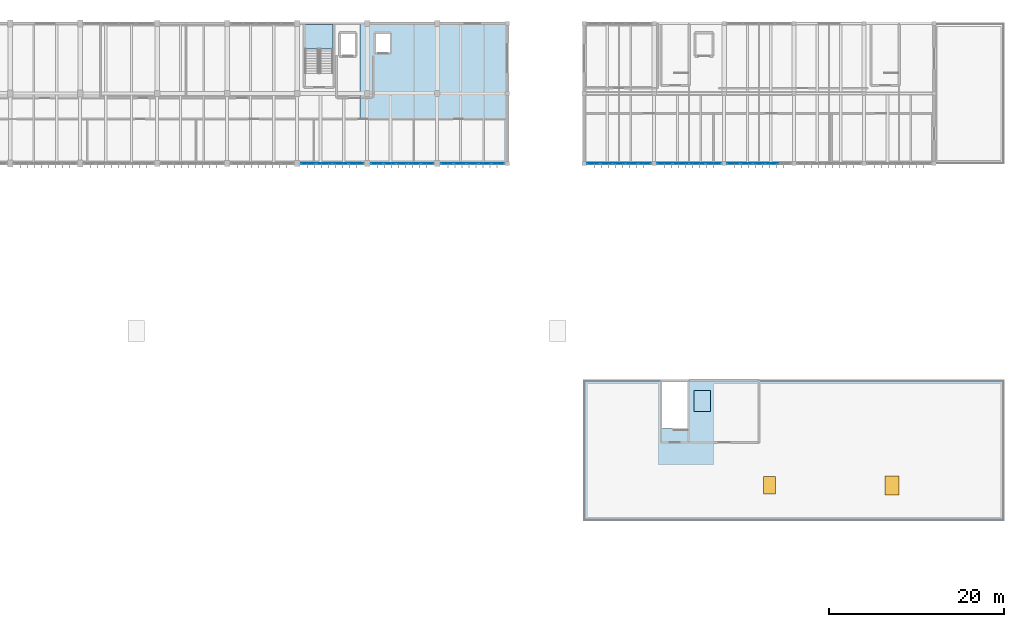
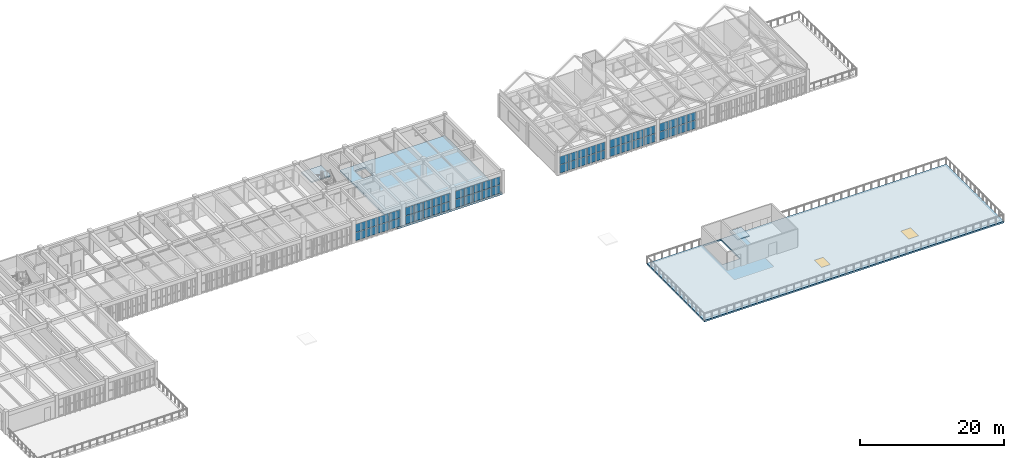
# One storey, part 17 of 31: 54 plates, 4 slabs, 2 windows, 2 openings, 7 elements without a shape of their own.
"""IFC4 building model written with IfcOpenShell, lengths in metres."""

from ifc_helpers import new_model, si_unit, direction, frame, origin, origin_2d, place, context, subcontext, project, spatial, polyline, rectangle, outline, extrude, material, layer, layer_set, type_object, element, fill, aggregate, save


model = new_model("IFC4")

# Units and contexts
model_context = context("Model", 3, precision=1e-05, world=origin(), true_north=direction((0.0, 1.0)))
body_context = subcontext(model_context, "Body", "Model", "MODEL_VIEW")
ifc_project = project(units=[si_unit("LENGTHUNIT", "METRE"), si_unit("AREAUNIT", "SQUARE_METRE"), si_unit("VOLUMEUNIT", "CUBIC_METRE"), si_unit("PLANEANGLEUNIT", "RADIAN"), si_unit("MASSUNIT", "GRAM", prefix="KILO")], contexts=[model_context])

# Site, building, storey
site_placement = place(None, origin())
site = spatial("IfcSite", under=ifc_project, at=site_placement, CompositionType="ELEMENT")
building_placement = place(site_placement, origin())
building = spatial("IfcBuilding", under=site, at=building_placement, Name="Tlaxcora Railside Police Headquarters", CompositionType="ELEMENT")
storey_placement = place(building_placement, frame((0.0, 0.0, 18.0)))
storey = spatial("IfcBuildingStorey", under=building, at=storey_placement, Name="L04", CompositionType="ELEMENT", Elevation=18.0)

# Curtain wall, plates
ifc_material_1 = material(Name="Thermally broken low-E insulated glazing", Category="glass")
curtain_wall_type_1 = type_object("IfcCurtainWallType", Name="Unitised Curtain Wall Assembly CW-23", PredefinedType="NOTDEFINED", material=ifc_material_1)
curtain_wall_1_placement = place(storey_placement, origin())
curtain_wall_1 = element("IfcCurtainWall", 1, at=curtain_wall_1_placement, inside=storey, type_object=curtain_wall_type_1, Name="V5 L04 curtain wall 96", PredefinedType="NOTDEFINED")
ifc_layer_1 = layer(ifc_material_1, 0.0400390625, Name="Thermally broken low-E insulated glazing")
ifc_layer_set_1 = layer_set([ifc_layer_1], Name="Thermally broken low-E insulated glazing")
plate_type_1 = type_object("IfcPlateType", Name="Curtain Wall Infill Panel CW-17", PredefinedType="CURTAIN_PANEL", material=ifc_layer_set_1)
plate_1_placement = place(storey_placement, frame((79.1201171875, 76.800048828125, 0.080078125), z_axis=(0.0, 0.0, 1.0), x_axis=(1.0, 0.0, 0.0)))
plate_1 = element("IfcPlate", 2, at=plate_1_placement, type_object=plate_type_1, Name="CW panel 1.1", PredefinedType="CURTAIN_PANEL", context=body_context, shape_type="SweptSolid", body=[
    extrude(rectangle(XDim=1.330078125, YDim=0.0400390625, at=origin_2d()), origin(), (0.0, 0.0, 1.0), 1.375),
])
plate_2_placement = place(storey_placement, frame((79.1201171875, 76.800048828125, 1.534912109375), z_axis=(0.0, 0.0, 1.0), x_axis=(1.0, 0.0, 0.0)))
plate_2 = element("IfcPlate", 3, at=plate_2_placement, type_object=plate_type_1, Name="CW panel 1.2", PredefinedType="CURTAIN_PANEL", context=body_context, shape_type="SweptSolid", body=[
    extrude(rectangle(XDim=1.330078125, YDim=0.0400390625, at=origin_2d()), origin(), (0.0, 0.0, 1.0), 1.35498046875),
])
plate_3_placement = place(storey_placement, frame((80.550048828125, 76.800048828125, 0.080078125), z_axis=(0.0, 0.0, 1.0), x_axis=(1.0, 0.0, 0.0)))
plate_3 = element("IfcPlate", 4, at=plate_3_placement, type_object=plate_type_1, Name="CW panel 2.1", PredefinedType="CURTAIN_PANEL", context=body_context, shape_type="SweptSolid", body=[
    extrude(rectangle(XDim=1.3701171875, YDim=0.0400390625, at=origin_2d()), origin(), (0.0, 0.0, 1.0), 1.375),
])
plate_4_placement = place(storey_placement, frame((80.550048828125, 76.800048828125, 1.534912109375), z_axis=(0.0, 0.0, 1.0), x_axis=(1.0, 0.0, 0.0)))
plate_4 = element("IfcPlate", 5, at=plate_4_placement, type_object=plate_type_1, Name="CW panel 2.2", PredefinedType="CURTAIN_PANEL", context=body_context, shape_type="SweptSolid", body=[
    extrude(rectangle(XDim=1.3701171875, YDim=0.0400390625, at=origin_2d()), origin(), (0.0, 0.0, 1.0), 1.35498046875),
])
plate_5_placement = place(storey_placement, frame((82.0, 76.800048828125, 0.080078125), z_axis=(0.0, 0.0, 1.0), x_axis=(1.0, 0.0, 0.0)))
plate_5 = element("IfcPlate", 6, at=plate_5_placement, type_object=plate_type_1, Name="CW panel 3.1", PredefinedType="CURTAIN_PANEL", context=body_context, shape_type="SweptSolid", body=[
    extrude(rectangle(XDim=1.3701171875, YDim=0.0400390625, at=origin_2d()), origin(), (0.0, 0.0, 1.0), 1.375),
])
plate_6_placement = place(storey_placement, frame((82.0, 76.800048828125, 1.534912109375), z_axis=(0.0, 0.0, 1.0), x_axis=(1.0, 0.0, 0.0)))
plate_6 = element("IfcPlate", 7, at=plate_6_placement, type_object=plate_type_1, Name="CW panel 3.2", PredefinedType="CURTAIN_PANEL", context=body_context, shape_type="SweptSolid", body=[
    extrude(rectangle(XDim=1.3701171875, YDim=0.0400390625, at=origin_2d()), origin(), (0.0, 0.0, 1.0), 1.35498046875),
])
plate_7_placement = place(storey_placement, frame((83.449951171875, 76.800048828125, 0.080078125), z_axis=(0.0, 0.0, 1.0), x_axis=(1.0, 0.0, 0.0)))
plate_7 = element("IfcPlate", 8, at=plate_7_placement, type_object=plate_type_1, Name="CW panel 4.1", PredefinedType="CURTAIN_PANEL", context=body_context, shape_type="SweptSolid", body=[
    extrude(rectangle(XDim=1.3701171875, YDim=0.0400390625, at=origin_2d()), origin(), (0.0, 0.0, 1.0), 1.375),
])
plate_8_placement = place(storey_placement, frame((83.449951171875, 76.800048828125, 1.534912109375), z_axis=(0.0, 0.0, 1.0), x_axis=(1.0, 0.0, 0.0)))
plate_8 = element("IfcPlate", 9, at=plate_8_placement, type_object=plate_type_1, Name="CW panel 4.2", PredefinedType="CURTAIN_PANEL", context=body_context, shape_type="SweptSolid", body=[
    extrude(rectangle(XDim=1.3701171875, YDim=0.0400390625, at=origin_2d()), origin(), (0.0, 0.0, 1.0), 1.35498046875),
])
plate_9_placement = place(storey_placement, frame((84.8798828125, 76.800048828125, 0.080078125), z_axis=(0.0, 0.0, 1.0), x_axis=(1.0, 0.0, 0.0)))
plate_9 = element("IfcPlate", 10, at=plate_9_placement, type_object=plate_type_1, Name="CW panel 5.1", PredefinedType="CURTAIN_PANEL", context=body_context, shape_type="SweptSolid", body=[
    extrude(rectangle(XDim=1.330078125, YDim=0.0400390625, at=origin_2d()), origin(), (0.0, 0.0, 1.0), 1.375),
])
plate_10_placement = place(storey_placement, frame((84.8798828125, 76.800048828125, 1.534912109375), z_axis=(0.0, 0.0, 1.0), x_axis=(1.0, 0.0, 0.0)))
plate_10 = element("IfcPlate", 11, at=plate_10_placement, type_object=plate_type_1, Name="CW panel 5.2", PredefinedType="CURTAIN_PANEL", context=body_context, shape_type="SweptSolid", body=[
    extrude(rectangle(XDim=1.330078125, YDim=0.0400390625, at=origin_2d()), origin(), (0.0, 0.0, 1.0), 1.35498046875),
])
aggregate(curtain_wall_1, [plate_1, plate_2, plate_3, plate_4, plate_5, plate_6, plate_7, plate_8, plate_9, plate_10])

curtain_wall_2_placement = place(storey_placement, origin())
curtain_wall_2 = element("IfcCurtainWall", 12, at=curtain_wall_2_placement, inside=storey, type_object=curtain_wall_type_1, Name="V6 L04 curtain wall 172", PredefinedType="NOTDEFINED")
plate_11_placement = place(storey_placement, frame((119.860107421875, 76.800048828125, 0.079833984375), z_axis=(0.0, 0.0, 1.0), x_axis=(1.0, 0.0, 0.0)))
plate_11 = element("IfcPlate", 13, at=plate_11_placement, type_object=plate_type_1, Name="CW panel 1.1", PredefinedType="CURTAIN_PANEL", context=body_context, shape_type="SweptSolid", body=[
    extrude(rectangle(XDim=1.360107421875, YDim=0.0400390625, at=origin_2d()), origin(), (0.0, 0.0, 1.0), 1.3701171875),
])
plate_12_placement = place(storey_placement, frame((119.860107421875, 76.800048828125, 1.530029296875), z_axis=(0.0, 0.0, 1.0), x_axis=(1.0, 0.0, 0.0)))
plate_12 = element("IfcPlate", 14, at=plate_12_placement, type_object=plate_type_1, Name="CW panel 1.2", PredefinedType="CURTAIN_PANEL", context=body_context, shape_type="SweptSolid", body=[
    extrude(rectangle(XDim=1.360107421875, YDim=0.0400390625, at=origin_2d()), origin(), (0.0, 0.0, 1.0), 1.35009765625),
])
plate_13_placement = place(storey_placement, frame((121.320068359375, 76.800048828125, 0.079833984375), z_axis=(0.0, 0.0, 1.0), x_axis=(1.0, 0.0, 0.0)))
plate_13 = element("IfcPlate", 15, at=plate_13_placement, type_object=plate_type_1, Name="CW panel 2.1", PredefinedType="CURTAIN_PANEL", context=body_context, shape_type="SweptSolid", body=[
    extrude(rectangle(XDim=1.39990234375, YDim=0.0400390625, at=origin_2d()), origin(), (0.0, 0.0, 1.0), 1.3701171875),
])
plate_14_placement = place(storey_placement, frame((121.320068359375, 76.800048828125, 1.530029296875), z_axis=(0.0, 0.0, 1.0), x_axis=(1.0, 0.0, 0.0)))
plate_14 = element("IfcPlate", 16, at=plate_14_placement, type_object=plate_type_1, Name="CW panel 2.2", PredefinedType="CURTAIN_PANEL", context=body_context, shape_type="SweptSolid", body=[
    extrude(rectangle(XDim=1.39990234375, YDim=0.0400390625, at=origin_2d()), origin(), (0.0, 0.0, 1.0), 1.35009765625),
])
plate_15_placement = place(storey_placement, frame((122.800048828125, 76.800048828125, 0.079833984375), z_axis=(0.0, 0.0, 1.0), x_axis=(1.0, 0.0, 0.0)))
plate_15 = element("IfcPlate", 17, at=plate_15_placement, type_object=plate_type_1, Name="CW panel 3.1", PredefinedType="CURTAIN_PANEL", context=body_context, shape_type="SweptSolid", body=[
    extrude(rectangle(XDim=1.39990234375, YDim=0.0400390625, at=origin_2d()), origin(), (0.0, 0.0, 1.0), 1.3701171875),
])
plate_16_placement = place(storey_placement, frame((122.800048828125, 76.800048828125, 1.530029296875), z_axis=(0.0, 0.0, 1.0), x_axis=(1.0, 0.0, 0.0)))
plate_16 = element("IfcPlate", 18, at=plate_16_placement, type_object=plate_type_1, Name="CW panel 3.2", PredefinedType="CURTAIN_PANEL", context=body_context, shape_type="SweptSolid", body=[
    extrude(rectangle(XDim=1.39990234375, YDim=0.0400390625, at=origin_2d()), origin(), (0.0, 0.0, 1.0), 1.35009765625),
])
plate_17_placement = place(storey_placement, frame((124.280029296875, 76.800048828125, 0.079833984375), z_axis=(0.0, 0.0, 1.0), x_axis=(1.0, 0.0, 0.0)))
plate_17 = element("IfcPlate", 19, at=plate_17_placement, type_object=plate_type_1, Name="CW panel 4.1", PredefinedType="CURTAIN_PANEL", context=body_context, shape_type="SweptSolid", body=[
    extrude(rectangle(XDim=1.39990234375, YDim=0.0400390625, at=origin_2d()), origin(), (0.0, 0.0, 1.0), 1.3701171875),
])
plate_18_placement = place(storey_placement, frame((124.280029296875, 76.800048828125, 1.530029296875), z_axis=(0.0, 0.0, 1.0), x_axis=(1.0, 0.0, 0.0)))
plate_18 = element("IfcPlate", 20, at=plate_18_placement, type_object=plate_type_1, Name="CW panel 4.2", PredefinedType="CURTAIN_PANEL", context=body_context, shape_type="SweptSolid", body=[
    extrude(rectangle(XDim=1.39990234375, YDim=0.0400390625, at=origin_2d()), origin(), (0.0, 0.0, 1.0), 1.35009765625),
])
aggregate(curtain_wall_2, [plate_11, plate_12, plate_13, plate_14, plate_15, plate_16, plate_17, plate_18])

curtain_wall_type_2 = type_object("IfcCurtainWallType", Name="Unitised Curtain Wall Assembly CW-15", PredefinedType="NOTDEFINED", material=ifc_material_1)
curtain_wall_3_placement = place(storey_placement, origin())
curtain_wall_3 = element("IfcCurtainWall", 21, at=curtain_wall_3_placement, inside=storey, type_object=curtain_wall_type_2, Name="V6 L04 curtain wall 170", PredefinedType="NOTDEFINED")
ifc_layer_2 = layer(ifc_material_1, 0.031982421875, Name="Thermally broken low-E insulated glazing")
ifc_layer_set_2 = layer_set([ifc_layer_2], Name="Thermally broken low-E insulated glazing")
plate_type_2 = type_object("IfcPlateType", Name="Curtain Wall Infill Panel CW-41", PredefinedType="CURTAIN_PANEL", material=ifc_layer_set_2)
plate_19_placement = place(storey_placement, frame((103.858642578125, 76.800048828125, 0.074951171875), z_axis=(0.0, 0.0, 1.0), x_axis=(1.0, 0.0, 0.0)))
plate_19 = element("IfcPlate", 22, at=plate_19_placement, type_object=plate_type_2, Name="CW panel 1.1", PredefinedType="CURTAIN_PANEL", context=body_context, shape_type="SweptSolid", body=[
    extrude(rectangle(XDim=1.367431640625, YDim=0.031982421875, at=origin_2d()), origin(), (0.0, 0.0, 1.0), 1.37744140625),
])
plate_20_placement = place(storey_placement, frame((103.858642578125, 76.800048828125, 1.527587890625), z_axis=(0.0, 0.0, 1.0), x_axis=(1.0, 0.0, 0.0)))
plate_20 = element("IfcPlate", 23, at=plate_20_placement, type_object=plate_type_2, Name="CW panel 1.2", PredefinedType="CURTAIN_PANEL", context=body_context, shape_type="SweptSolid", body=[
    extrude(rectangle(XDim=1.367431640625, YDim=0.031982421875, at=origin_2d()), origin(), (0.0, 0.0, 1.0), 1.357421875),
])
plate_21_placement = place(storey_placement, frame((105.320068359375, 76.800048828125, 0.074951171875), z_axis=(0.0, 0.0, 1.0), x_axis=(1.0, 0.0, 0.0)))
plate_21 = element("IfcPlate", 24, at=plate_21_placement, type_object=plate_type_2, Name="CW panel 2.1", PredefinedType="CURTAIN_PANEL", context=body_context, shape_type="SweptSolid", body=[
    extrude(rectangle(XDim=1.405029296875, YDim=0.031982421875, at=origin_2d()), origin(), (0.0, 0.0, 1.0), 1.37744140625),
])
plate_22_placement = place(storey_placement, frame((105.320068359375, 76.800048828125, 1.527587890625), z_axis=(0.0, 0.0, 1.0), x_axis=(1.0, 0.0, 0.0)))
plate_22 = element("IfcPlate", 25, at=plate_22_placement, type_object=plate_type_2, Name="CW panel 2.2", PredefinedType="CURTAIN_PANEL", context=body_context, shape_type="SweptSolid", body=[
    extrude(rectangle(XDim=1.405029296875, YDim=0.031982421875, at=origin_2d()), origin(), (0.0, 0.0, 1.0), 1.357421875),
])
plate_23_placement = place(storey_placement, frame((106.800048828125, 76.800048828125, 0.074951171875), z_axis=(0.0, 0.0, 1.0), x_axis=(1.0, 0.0, 0.0)))
plate_23 = element("IfcPlate", 26, at=plate_23_placement, type_object=plate_type_2, Name="CW panel 3.1", PredefinedType="CURTAIN_PANEL", context=body_context, shape_type="SweptSolid", body=[
    extrude(rectangle(XDim=1.405029296875, YDim=0.031982421875, at=origin_2d()), origin(), (0.0, 0.0, 1.0), 1.37744140625),
])
plate_24_placement = place(storey_placement, frame((106.800048828125, 76.800048828125, 1.527587890625), z_axis=(0.0, 0.0, 1.0), x_axis=(1.0, 0.0, 0.0)))
plate_24 = element("IfcPlate", 27, at=plate_24_placement, type_object=plate_type_2, Name="CW panel 3.2", PredefinedType="CURTAIN_PANEL", context=body_context, shape_type="SweptSolid", body=[
    extrude(rectangle(XDim=1.405029296875, YDim=0.031982421875, at=origin_2d()), origin(), (0.0, 0.0, 1.0), 1.357421875),
])
plate_25_placement = place(storey_placement, frame((108.280029296875, 76.800048828125, 0.074951171875), z_axis=(0.0, 0.0, 1.0), x_axis=(1.0, 0.0, 0.0)))
plate_25 = element("IfcPlate", 28, at=plate_25_placement, type_object=plate_type_2, Name="CW panel 4.1", PredefinedType="CURTAIN_PANEL", context=body_context, shape_type="SweptSolid", body=[
    extrude(rectangle(XDim=1.405029296875, YDim=0.031982421875, at=origin_2d()), origin(), (0.0, 0.0, 1.0), 1.37744140625),
])
plate_26_placement = place(storey_placement, frame((108.280029296875, 76.800048828125, 1.527587890625), z_axis=(0.0, 0.0, 1.0), x_axis=(1.0, 0.0, 0.0)))
plate_26 = element("IfcPlate", 29, at=plate_26_placement, type_object=plate_type_2, Name="CW panel 4.2", PredefinedType="CURTAIN_PANEL", context=body_context, shape_type="SweptSolid", body=[
    extrude(rectangle(XDim=1.405029296875, YDim=0.031982421875, at=origin_2d()), origin(), (0.0, 0.0, 1.0), 1.357421875),
])
plate_27_placement = place(storey_placement, frame((109.7412109375, 76.800048828125, 0.074951171875), z_axis=(0.0, 0.0, 1.0), x_axis=(1.0, 0.0, 0.0)))
plate_27 = element("IfcPlate", 30, at=plate_27_placement, type_object=plate_type_2, Name="CW panel 5.1", PredefinedType="CURTAIN_PANEL", context=body_context, shape_type="SweptSolid", body=[
    extrude(rectangle(XDim=1.367431640625, YDim=0.031982421875, at=origin_2d()), origin(), (0.0, 0.0, 1.0), 1.37744140625),
])
plate_28_placement = place(storey_placement, frame((109.7412109375, 76.800048828125, 1.527587890625), z_axis=(0.0, 0.0, 1.0), x_axis=(1.0, 0.0, 0.0)))
plate_28 = element("IfcPlate", 31, at=plate_28_placement, type_object=plate_type_2, Name="CW panel 5.2", PredefinedType="CURTAIN_PANEL", context=body_context, shape_type="SweptSolid", body=[
    extrude(rectangle(XDim=1.367431640625, YDim=0.031982421875, at=origin_2d()), origin(), (0.0, 0.0, 1.0), 1.357421875),
])
aggregate(curtain_wall_3, [plate_19, plate_20, plate_21, plate_22, plate_23, plate_24, plate_25, plate_26, plate_27, plate_28])

curtain_wall_type_3 = type_object("IfcCurtainWallType", Name="Unitised Curtain Wall Assembly CW-83", PredefinedType="NOTDEFINED", material=ifc_material_1)
curtain_wall_4_placement = place(storey_placement, origin())
curtain_wall_4 = element("IfcCurtainWall", 32, at=curtain_wall_4_placement, inside=storey, type_object=curtain_wall_type_3, Name="V5 L04 curtain wall 95", PredefinedType="NOTDEFINED")
ifc_layer_3 = layer(ifc_material_1, 0.035888671875, Name="Thermally broken low-E insulated glazing")
ifc_layer_set_3 = layer_set([ifc_layer_3], Name="Thermally broken low-E insulated glazing")
plate_type_3 = type_object("IfcPlateType", Name="Curtain Wall Infill Panel CW-72", PredefinedType="CURTAIN_PANEL", material=ifc_layer_set_3)
plate_29_placement = place(storey_placement, frame((71.30126953125, 76.800048828125, 0.080078125), z_axis=(0.0, 0.0, 1.0), x_axis=(1.0, 0.0, 0.0)))
plate_29 = element("IfcPlate", 33, at=plate_29_placement, type_object=plate_type_3, Name="CW panel 1.1", PredefinedType="CURTAIN_PANEL", context=body_context, shape_type="SweptSolid", body=[
    extrude(rectangle(XDim=1.6923828125, YDim=0.035888671875, at=origin_2d()), origin(), (0.0, 0.0, 1.0), 1.375),
])
plate_30_placement = place(storey_placement, frame((71.30126953125, 76.800048828125, 1.534912109375), z_axis=(0.0, 0.0, 1.0), x_axis=(1.0, 0.0, 0.0)))
plate_30 = element("IfcPlate", 34, at=plate_30_placement, type_object=plate_type_3, Name="CW panel 1.2", PredefinedType="CURTAIN_PANEL", context=body_context, shape_type="SweptSolid", body=[
    extrude(rectangle(XDim=1.6923828125, YDim=0.035888671875, at=origin_2d()), origin(), (0.0, 0.0, 1.0), 1.35498046875),
])
plate_31_placement = place(storey_placement, frame((73.09375, 76.800048828125, 0.080078125), z_axis=(0.0, 0.0, 1.0), x_axis=(1.0, 0.0, 0.0)))
plate_31 = element("IfcPlate", 35, at=plate_31_placement, type_object=plate_type_3, Name="CW panel 2.1", PredefinedType="CURTAIN_PANEL", context=body_context, shape_type="SweptSolid", body=[
    extrude(rectangle(XDim=1.732421875, YDim=0.035888671875, at=origin_2d()), origin(), (0.0, 0.0, 1.0), 1.375),
])
plate_32_placement = place(storey_placement, frame((73.09375, 76.800048828125, 1.534912109375), z_axis=(0.0, 0.0, 1.0), x_axis=(1.0, 0.0, 0.0)))
plate_32 = element("IfcPlate", 36, at=plate_32_placement, type_object=plate_type_3, Name="CW panel 2.2", PredefinedType="CURTAIN_PANEL", context=body_context, shape_type="SweptSolid", body=[
    extrude(rectangle(XDim=1.732421875, YDim=0.035888671875, at=origin_2d()), origin(), (0.0, 0.0, 1.0), 1.35498046875),
])
plate_33_placement = place(storey_placement, frame((74.90625, 76.800048828125, 0.080078125), z_axis=(0.0, 0.0, 1.0), x_axis=(1.0, 0.0, 0.0)))
plate_33 = element("IfcPlate", 37, at=plate_33_placement, type_object=plate_type_3, Name="CW panel 3.1", PredefinedType="CURTAIN_PANEL", context=body_context, shape_type="SweptSolid", body=[
    extrude(rectangle(XDim=1.732421875, YDim=0.035888671875, at=origin_2d()), origin(), (0.0, 0.0, 1.0), 1.375),
])
plate_34_placement = place(storey_placement, frame((74.90625, 76.800048828125, 1.534912109375), z_axis=(0.0, 0.0, 1.0), x_axis=(1.0, 0.0, 0.0)))
plate_34 = element("IfcPlate", 38, at=plate_34_placement, type_object=plate_type_3, Name="CW panel 3.2", PredefinedType="CURTAIN_PANEL", context=body_context, shape_type="SweptSolid", body=[
    extrude(rectangle(XDim=1.732421875, YDim=0.035888671875, at=origin_2d()), origin(), (0.0, 0.0, 1.0), 1.35498046875),
])
plate_35_placement = place(storey_placement, frame((76.69873046875, 76.800048828125, 0.080078125), z_axis=(0.0, 0.0, 1.0), x_axis=(1.0, 0.0, 0.0)))
plate_35 = element("IfcPlate", 39, at=plate_35_placement, type_object=plate_type_3, Name="CW panel 4.1", PredefinedType="CURTAIN_PANEL", context=body_context, shape_type="SweptSolid", body=[
    extrude(rectangle(XDim=1.6923828125, YDim=0.035888671875, at=origin_2d()), origin(), (0.0, 0.0, 1.0), 1.375),
])
plate_36_placement = place(storey_placement, frame((76.69873046875, 76.800048828125, 1.534912109375), z_axis=(0.0, 0.0, 1.0), x_axis=(1.0, 0.0, 0.0)))
plate_36 = element("IfcPlate", 40, at=plate_36_placement, type_object=plate_type_3, Name="CW panel 4.2", PredefinedType="CURTAIN_PANEL", context=body_context, shape_type="SweptSolid", body=[
    extrude(rectangle(XDim=1.6923828125, YDim=0.035888671875, at=origin_2d()), origin(), (0.0, 0.0, 1.0), 1.35498046875),
])
aggregate(curtain_wall_4, [plate_29, plate_30, plate_31, plate_32, plate_33, plate_34, plate_35, plate_36])

curtain_wall_5_placement = place(storey_placement, origin())
curtain_wall_5 = element("IfcCurtainWall", 41, at=curtain_wall_5_placement, inside=storey, type_object=curtain_wall_type_3, Name="V6 L04 curtain wall 171", PredefinedType="NOTDEFINED")
plate_37_placement = place(storey_placement, frame((112.044921875, 76.800048828125, 0.079833984375), z_axis=(0.0, 0.0, 1.0), x_axis=(1.0, 0.0, 0.0)))
plate_37 = element("IfcPlate", 42, at=plate_37_placement, type_object=plate_type_3, Name="CW panel 1.1", PredefinedType="CURTAIN_PANEL", context=body_context, shape_type="SweptSolid", body=[
    extrude(rectangle(XDim=1.72998046875, YDim=0.035888671875, at=origin_2d()), origin(), (0.0, 0.0, 1.0), 1.3701171875),
])
plate_38_placement = place(storey_placement, frame((112.044921875, 76.800048828125, 1.530029296875), z_axis=(0.0, 0.0, 1.0), x_axis=(1.0, 0.0, 0.0)))
plate_38 = element("IfcPlate", 43, at=plate_38_placement, type_object=plate_type_3, Name="CW panel 1.2", PredefinedType="CURTAIN_PANEL", context=body_context, shape_type="SweptSolid", body=[
    extrude(rectangle(XDim=1.72998046875, YDim=0.035888671875, at=origin_2d()), origin(), (0.0, 0.0, 1.0), 1.35009765625),
])
plate_39_placement = place(storey_placement, frame((113.875, 76.800048828125, 0.079833984375), z_axis=(0.0, 0.0, 1.0), x_axis=(1.0, 0.0, 0.0)))
plate_39 = element("IfcPlate", 44, at=plate_39_placement, type_object=plate_type_3, Name="CW panel 2.1", PredefinedType="CURTAIN_PANEL", context=body_context, shape_type="SweptSolid", body=[
    extrude(rectangle(XDim=1.77001953125, YDim=0.035888671875, at=origin_2d()), origin(), (0.0, 0.0, 1.0), 1.3701171875),
])
plate_40_placement = place(storey_placement, frame((113.875, 76.800048828125, 1.530029296875), z_axis=(0.0, 0.0, 1.0), x_axis=(1.0, 0.0, 0.0)))
plate_40 = element("IfcPlate", 45, at=plate_40_placement, type_object=plate_type_3, Name="CW panel 2.2", PredefinedType="CURTAIN_PANEL", context=body_context, shape_type="SweptSolid", body=[
    extrude(rectangle(XDim=1.77001953125, YDim=0.035888671875, at=origin_2d()), origin(), (0.0, 0.0, 1.0), 1.35009765625),
])
plate_41_placement = place(storey_placement, frame((115.72509765625, 76.800048828125, 0.079833984375), z_axis=(0.0, 0.0, 1.0), x_axis=(1.0, 0.0, 0.0)))
plate_41 = element("IfcPlate", 46, at=plate_41_placement, type_object=plate_type_3, Name="CW panel 3.1", PredefinedType="CURTAIN_PANEL", context=body_context, shape_type="SweptSolid", body=[
    extrude(rectangle(XDim=1.77001953125, YDim=0.035888671875, at=origin_2d()), origin(), (0.0, 0.0, 1.0), 1.3701171875),
])
plate_42_placement = place(storey_placement, frame((115.72509765625, 76.800048828125, 1.530029296875), z_axis=(0.0, 0.0, 1.0), x_axis=(1.0, 0.0, 0.0)))
plate_42 = element("IfcPlate", 47, at=plate_42_placement, type_object=plate_type_3, Name="CW panel 3.2", PredefinedType="CURTAIN_PANEL", context=body_context, shape_type="SweptSolid", body=[
    extrude(rectangle(XDim=1.77001953125, YDim=0.035888671875, at=origin_2d()), origin(), (0.0, 0.0, 1.0), 1.35009765625),
])
plate_43_placement = place(storey_placement, frame((117.554931640625, 76.800048828125, 0.079833984375), z_axis=(0.0, 0.0, 1.0), x_axis=(1.0, 0.0, 0.0)))
plate_43 = element("IfcPlate", 48, at=plate_43_placement, type_object=plate_type_3, Name="CW panel 4.1", PredefinedType="CURTAIN_PANEL", context=body_context, shape_type="SweptSolid", body=[
    extrude(rectangle(XDim=1.72998046875, YDim=0.035888671875, at=origin_2d()), origin(), (0.0, 0.0, 1.0), 1.3701171875),
])
plate_44_placement = place(storey_placement, frame((117.554931640625, 76.800048828125, 1.530029296875), z_axis=(0.0, 0.0, 1.0), x_axis=(1.0, 0.0, 0.0)))
plate_44 = element("IfcPlate", 49, at=plate_44_placement, type_object=plate_type_3, Name="CW panel 4.2", PredefinedType="CURTAIN_PANEL", context=body_context, shape_type="SweptSolid", body=[
    extrude(rectangle(XDim=1.72998046875, YDim=0.035888671875, at=origin_2d()), origin(), (0.0, 0.0, 1.0), 1.35009765625),
])
aggregate(curtain_wall_5, [plate_37, plate_38, plate_39, plate_40, plate_41, plate_42, plate_43, plate_44])

curtain_wall_type_4 = type_object("IfcCurtainWallType", Name="Unitised Curtain Wall Assembly CW-38", PredefinedType="NOTDEFINED", material=ifc_material_1)
curtain_wall_6_placement = place(storey_placement, origin())
curtain_wall_6 = element("IfcCurtainWall", 50, at=curtain_wall_6_placement, inside=storey, type_object=curtain_wall_type_4, Name="V5 L04 curtain wall 97", PredefinedType="NOTDEFINED")
ifc_layer_4 = layer(ifc_material_1, 0.028076171875, Name="Thermally broken low-E insulated glazing")
ifc_layer_set_4 = layer_set([ifc_layer_4], Name="Thermally broken low-E insulated glazing")
plate_type_4 = type_object("IfcPlateType", Name="Curtain Wall Infill Panel CW-92", PredefinedType="CURTAIN_PANEL", material=ifc_layer_set_4)
plate_45_placement = place(storey_placement, frame((87.126220703125, 76.800048828125, 0.0751953125), z_axis=(0.0, 0.0, 1.0), x_axis=(1.0, 0.0, 0.0)))
plate_45 = element("IfcPlate", 51, at=plate_45_placement, type_object=plate_type_4, Name="CW panel 1.1", PredefinedType="CURTAIN_PANEL", context=body_context, shape_type="SweptSolid", body=[
    extrude(rectangle(XDim=1.3525390625, YDim=0.028076171875, at=origin_2d()), origin(), (0.0, 0.0, 1.0), 1.382568359375),
])
plate_46_placement = place(storey_placement, frame((87.126220703125, 76.800048828125, 1.53271484375), z_axis=(0.0, 0.0, 1.0), x_axis=(1.0, 0.0, 0.0)))
plate_46 = element("IfcPlate", 52, at=plate_46_placement, type_object=plate_type_4, Name="CW panel 1.2", PredefinedType="CURTAIN_PANEL", context=body_context, shape_type="SweptSolid", body=[
    extrude(rectangle(XDim=1.3525390625, YDim=0.028076171875, at=origin_2d()), origin(), (0.0, 0.0, 1.0), 1.362548828125),
])
plate_47_placement = place(storey_placement, frame((88.572509765625, 76.800048828125, 0.0751953125), z_axis=(0.0, 0.0, 1.0), x_axis=(1.0, 0.0, 0.0)))
plate_47 = element("IfcPlate", 53, at=plate_47_placement, type_object=plate_type_4, Name="CW panel 2.1", PredefinedType="CURTAIN_PANEL", context=body_context, shape_type="SweptSolid", body=[
    extrude(rectangle(XDim=1.389892578125, YDim=0.028076171875, at=origin_2d()), origin(), (0.0, 0.0, 1.0), 1.382568359375),
])
plate_48_placement = place(storey_placement, frame((88.572509765625, 76.800048828125, 1.53271484375), z_axis=(0.0, 0.0, 1.0), x_axis=(1.0, 0.0, 0.0)))
plate_48 = element("IfcPlate", 54, at=plate_48_placement, type_object=plate_type_4, Name="CW panel 2.2", PredefinedType="CURTAIN_PANEL", context=body_context, shape_type="SweptSolid", body=[
    extrude(rectangle(XDim=1.389892578125, YDim=0.028076171875, at=origin_2d()), origin(), (0.0, 0.0, 1.0), 1.362548828125),
])
plate_49_placement = place(storey_placement, frame((90.03759765625, 76.800048828125, 0.0751953125), z_axis=(0.0, 0.0, 1.0), x_axis=(1.0, 0.0, 0.0)))
plate_49 = element("IfcPlate", 55, at=plate_49_placement, type_object=plate_type_4, Name="CW panel 3.1", PredefinedType="CURTAIN_PANEL", context=body_context, shape_type="SweptSolid", body=[
    extrude(rectangle(XDim=1.389892578125, YDim=0.028076171875, at=origin_2d()), origin(), (0.0, 0.0, 1.0), 1.382568359375),
])
plate_50_placement = place(storey_placement, frame((90.03759765625, 76.800048828125, 1.53271484375), z_axis=(0.0, 0.0, 1.0), x_axis=(1.0, 0.0, 0.0)))
plate_50 = element("IfcPlate", 56, at=plate_50_placement, type_object=plate_type_4, Name="CW panel 3.2", PredefinedType="CURTAIN_PANEL", context=body_context, shape_type="SweptSolid", body=[
    extrude(rectangle(XDim=1.389892578125, YDim=0.028076171875, at=origin_2d()), origin(), (0.0, 0.0, 1.0), 1.362548828125),
])
plate_51_placement = place(storey_placement, frame((91.50244140625, 76.800048828125, 0.0751953125), z_axis=(0.0, 0.0, 1.0), x_axis=(1.0, 0.0, 0.0)))
plate_51 = element("IfcPlate", 57, at=plate_51_placement, type_object=plate_type_4, Name="CW panel 4.1", PredefinedType="CURTAIN_PANEL", context=body_context, shape_type="SweptSolid", body=[
    extrude(rectangle(XDim=1.389892578125, YDim=0.028076171875, at=origin_2d()), origin(), (0.0, 0.0, 1.0), 1.382568359375),
])
plate_52_placement = place(storey_placement, frame((91.50244140625, 76.800048828125, 1.53271484375), z_axis=(0.0, 0.0, 1.0), x_axis=(1.0, 0.0, 0.0)))
plate_52 = element("IfcPlate", 58, at=plate_52_placement, type_object=plate_type_4, Name="CW panel 4.2", PredefinedType="CURTAIN_PANEL", context=body_context, shape_type="SweptSolid", body=[
    extrude(rectangle(XDim=1.389892578125, YDim=0.028076171875, at=origin_2d()), origin(), (0.0, 0.0, 1.0), 1.362548828125),
])
plate_53_placement = place(storey_placement, frame((92.94873046875, 76.800048828125, 0.0751953125), z_axis=(0.0, 0.0, 1.0), x_axis=(1.0, 0.0, 0.0)))
plate_53 = element("IfcPlate", 59, at=plate_53_placement, type_object=plate_type_4, Name="CW panel 5.1", PredefinedType="CURTAIN_PANEL", context=body_context, shape_type="SweptSolid", body=[
    extrude(rectangle(XDim=1.3525390625, YDim=0.028076171875, at=origin_2d()), origin(), (0.0, 0.0, 1.0), 1.382568359375),
])
plate_54_placement = place(storey_placement, frame((92.94873046875, 76.800048828125, 1.53271484375), z_axis=(0.0, 0.0, 1.0), x_axis=(1.0, 0.0, 0.0)))
plate_54 = element("IfcPlate", 60, at=plate_54_placement, type_object=plate_type_4, Name="CW panel 5.2", PredefinedType="CURTAIN_PANEL", context=body_context, shape_type="SweptSolid", body=[
    extrude(rectangle(XDim=1.3525390625, YDim=0.028076171875, at=origin_2d()), origin(), (0.0, 0.0, 1.0), 1.362548828125),
])
aggregate(curtain_wall_6, [plate_45, plate_46, plate_47, plate_48, plate_49, plate_50, plate_51, plate_52, plate_53, plate_54])

# Slab
ifc_material_2 = material(Name="Concrete C40/50", Category="concrete")
ifc_layer_5 = layer(ifc_material_2, 0.179931640625, Name="Concrete C40/50")
ifc_layer_set_5 = layer_set([ifc_layer_5], Name="Concrete C40/50")
slab_type_1 = type_object("IfcSlabType", Name="Folded or Flat Roof Slab SL-50", PredefinedType="ROOF", material=ifc_layer_set_5)
slab_1_placement = place(storey_placement, frame((0.0, 0.0, 1.60009765625)))
element("IfcSlab", 61, at=slab_1_placement, inside=storey, type_object=slab_type_1, Name="Lift CL-01 shaft overrun cap slab", PredefinedType="ROOF", context=body_context, shape_type="SweptSolid", body=[
    extrude(outline(polyline([(115.360107421875, 48.4599609375), (117.239990234375, 48.4599609375), (117.239990234375, 50.840087890625), (115.360107421875, 50.840087890625), (115.360107421875, 48.4599609375)])), origin(), (0.0, 0.0, 1.0), 0.179931640625),
])

# Slab, openings, windows
ifc_layer_6 = layer(ifc_material_2, 0.260009765625, Name="Concrete C40/50")
ifc_layer_set_6 = layer_set([ifc_layer_6], Name="Concrete C40/50")
slab_type_2 = type_object("IfcSlabType", Name="Folded or Flat Roof Slab SL-59", PredefinedType="ROOF", material=ifc_layer_set_6)
slab_2_placement = place(storey_placement, frame((0.0, 0.0, -0.260009765625)))
slab_2 = element("IfcSlab", 62, at=slab_2_placement, inside=storey, type_object=slab_type_2, Name="V7 L04 planted terrace slab", PredefinedType="ROOF", context=body_context, shape_type="SweptSolid", body=[
    extrude(outline(polyline([(150.800048828125, 36.0), (150.800048828125, 52.0), (102.800048828125, 52.0), (102.800048828125, 36.0), (150.800048828125, 36.0)]), holes=[polyline([(114.610107421875, 46.5), (111.7099609375, 46.5), (111.7099609375, 51.889892578125), (114.610107421875, 51.889892578125), (114.610107421875, 46.5)])]), origin(), (0.0, 0.0, 1.0), 0.260009765625),
])
opening_1_placement = place(slab_2_placement, frame((124.0, 40.0, -0.010009765625)))
opening_1 = element("IfcOpeningElement", 63, at=opening_1_placement, cuts=slab_2, Name="Opening WN-87", PredefinedType="OPENING", context=body_context, shape_type="SweptSolid", body=[
    extrude(rectangle(XDim=1.39990234375, YDim=2.0, at=origin_2d()), origin(), (0.0, 0.0, 1.0), 0.280029296875),
])
opening_2_placement = place(slab_2_placement, frame((138.0, 40.0, -0.010009765625)))
opening_2 = element("IfcOpeningElement", 64, at=opening_2_placement, cuts=slab_2, Name="Opening WN-75", PredefinedType="OPENING", context=body_context, shape_type="SweptSolid", body=[
    extrude(rectangle(XDim=1.60009765625, YDim=2.199951171875, at=origin_2d()), origin(), (0.0, 0.0, 1.0), 0.280029296875),
])
window_type_1 = type_object("IfcWindowType", Name="Roof Skylight WN-75", PartitioningType="SINGLE_PANEL", PredefinedType="SKYLIGHT", material=ifc_material_1)
window_1_placement = place(opening_2_placement, frame((0.0, 0.0, 0.219970703125)))
window_1 = element("IfcWindow", 65, at=window_1_placement, inside=storey, type_object=window_type_1, Name="Roof skylight 04", OverallHeight=2.199951171875, OverallWidth=1.60009765625, PartitioningType="SINGLE_PANEL", PredefinedType="SKYLIGHT", context=body_context, shape_type="SweptSolid", body=[
    extrude(rectangle(XDim=1.60009765625, YDim=2.199951171875, at=origin_2d()), origin(), (0.0, 0.0, 1.0), 0.050048828125),
])
fill(opening_2, window_1)
window_type_2 = type_object("IfcWindowType", Name="Roof Skylight WN-87", PartitioningType="SINGLE_PANEL", PredefinedType="SKYLIGHT", material=ifc_material_1)
window_2_placement = place(opening_1_placement, frame((0.0, 0.0, 0.219970703125)))
window_2 = element("IfcWindow", 66, at=window_2_placement, inside=storey, type_object=window_type_2, Name="Roof skylight 03", OverallHeight=2.0, OverallWidth=1.39990234375, PartitioningType="SINGLE_PANEL", PredefinedType="SKYLIGHT", context=body_context, shape_type="SweptSolid", body=[
    extrude(rectangle(XDim=1.39990234375, YDim=2.0, at=origin_2d()), origin(), (0.0, 0.0, 1.0), 0.050048828125),
])
fill(opening_1, window_2)

# Stair, slab
stair_type = type_object("IfcStairType", Name="Half-Turn Dog-Leg Stair ST-30", PredefinedType="HALF_TURN_STAIR", material=ifc_material_2)
stair_placement = place(storey_placement, origin())
stair = element("IfcStair", 67, at=stair_placement, inside=storey, type_object=stair_type, Name="L04 ST2", PredefinedType="HALF_TURN_STAIR")
ifc_material_3 = material(Name="Concrete C35/45", Category="concrete")
ifc_layer_7 = layer(ifc_material_3, 0.199951171875, Name="Concrete C35/45")
ifc_layer_set_7 = layer_set([ifc_layer_7], Name="Concrete C35/45")
slab_type_3 = type_object("IfcSlabType", Name="Stair Landing Slab SL-23", PredefinedType="LANDING", material=ifc_layer_set_7)
slab_3_placement = place(storey_placement, frame((0.0, 0.0, 1.75)))
slab_3 = element("IfcSlab", 68, at=slab_3_placement, type_object=slab_type_3, Name="ST2 landing 1", PredefinedType="LANDING", context=body_context, shape_type="SweptSolid", body=[
    extrude(outline(polyline([(74.110107421875, 89.909912109375), (74.110107421875, 92.68994140625), (70.909912109375, 92.68994140625), (70.909912109375, 89.909912109375), (74.110107421875, 89.909912109375)])), origin(), (0.0, 0.0, 1.0), 0.199951171875),
])
aggregate(stair, [slab_3])

# Slab
ifc_layer_8 = layer(ifc_material_2, 0.31005859375, Name="Concrete C40/50")
ifc_layer_set_8 = layer_set([ifc_layer_8], Name="Concrete C40/50")
slab_type_4 = type_object("IfcSlabType", Name="Suspended Floor Slab SL-37", PredefinedType="FLOOR", material=ifc_layer_set_8)
slab_4_placement = place(storey_placement, frame((0.0, 0.0, -0.31005859375)))
element("IfcSlab", 69, at=slab_4_placement, inside=storey, type_object=slab_type_4, Name="V5 L04 floor slab zone 4", PredefinedType="FLOOR", context=body_context, shape_type="SweptSolid", body=[
    extrude(outline(polyline([(94.0, 92.800048828125), (77.199951171875, 92.800048828125), (77.199951171875, 76.800048828125), (94.0, 76.800048828125), (94.0, 92.800048828125)]), holes=[polyline([(80.64990234375, 89.449951171875), (78.949951171875, 89.449951171875), (78.949951171875, 91.64990234375), (80.64990234375, 91.64990234375), (80.64990234375, 89.449951171875)])]), origin(), (0.0, 0.0, 1.0), 0.31005859375),
])

save(model, "model.ifc")
